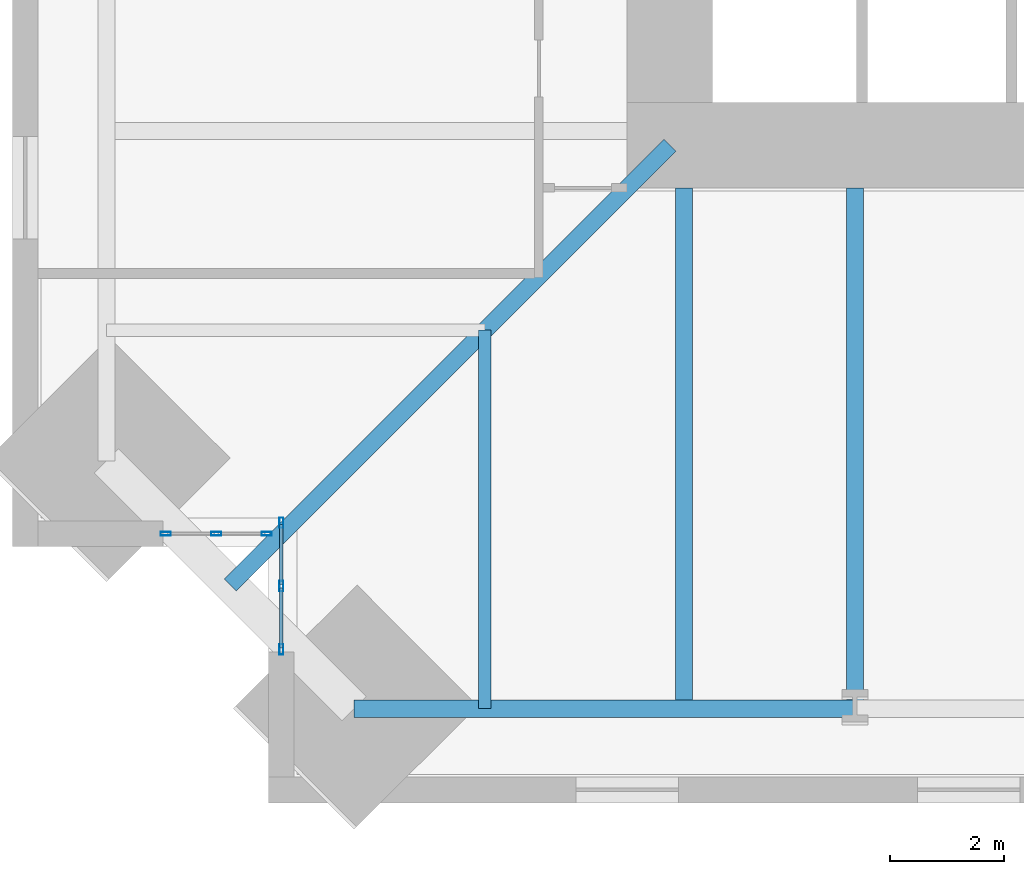
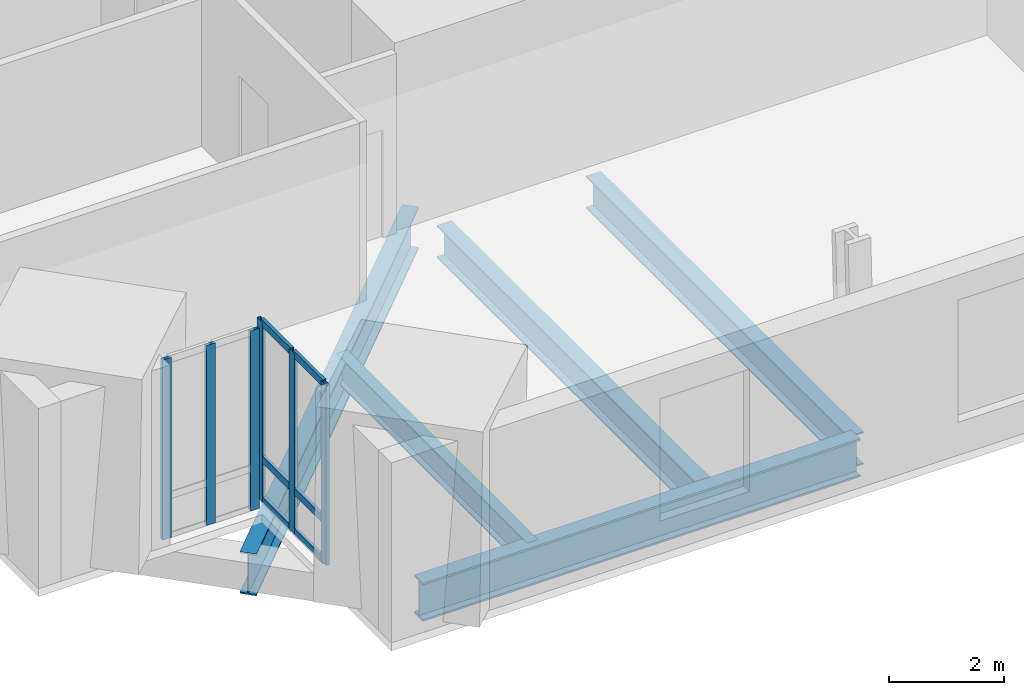
# One storey, part 2 of 15: 12 members, 5 beams, 2 elements without a shape of their own.
"""IFC4 building model written with IfcOpenShell, lengths in metres."""

from ifc_helpers import new_model, si_unit, direction, frame, origin, origin_2d, place, context, subcontext, project, spatial, hollow_rectangle, i_section, extrude, material, material_profile, profile_set, type_object, element, aggregate, save


model = new_model("IFC4")

# Units and contexts
model_context = context("Model", 3, precision=1e-05, world=origin(), true_north=direction((0.0, 1.0)))
body_context = subcontext(model_context, "Body", "Model", "MODEL_VIEW")
ifc_project = project(units=[si_unit("LENGTHUNIT", "METRE"), si_unit("AREAUNIT", "SQUARE_METRE"), si_unit("VOLUMEUNIT", "CUBIC_METRE"), si_unit("PLANEANGLEUNIT", "RADIAN"), si_unit("MASSUNIT", "GRAM", prefix="KILO")], contexts=[model_context])

# Site, building, storey
site_placement = place(None, origin())
site = spatial("IfcSite", under=ifc_project, at=site_placement, CompositionType="ELEMENT")
building_placement = place(site_placement, origin())
building = spatial("IfcBuilding", under=site, at=building_placement, Name="Peilmerk Tower", CompositionType="ELEMENT")
storey_placement = place(building_placement, frame((0.0, 0.0, 241.800048828125)))
storey = spatial("IfcBuildingStorey", under=building, at=storey_placement, Name="L53", CompositionType="ELEMENT", Elevation=241.800048828125)

# Beams
ifc_material_1 = material(Name="Steel S355", Category="steel")
ifc_material_profile_1 = material_profile(ifc_material_1, i_section(OverallWidth=0.219970703125, OverallDepth=0.60009765625, WebThickness=0.011962890625, FlangeThickness=0.01904296875, at=origin_2d()), Name="IPE 600")
ifc_profile_set_1 = profile_set([ifc_material_profile_1], Name="Steel S355")
beam_type_1 = type_object("IfcBeamType", Name="B10 IPE 600 floor beam", PredefinedType="BEAM", material=ifc_profile_set_1)
beam_1_placement = place(storey_placement, frame((-14.5, -14.5, -0.469970703125), z_axis=(0.0, -1.0, 0.0), x_axis=(1.0, 0.0, 0.0)))
element("IfcBeam", 1, at=beam_1_placement, inside=storey, type_object=beam_type_1, Name="Floor beam L53", PredefinedType="BEAM", context=body_context, shape_type="SweptSolid", body=[
    extrude(i_section(OverallWidth=0.219970703125, OverallDepth=0.60009765625, WebThickness=0.011962890625, FlangeThickness=0.01904296875, at=origin_2d()), origin(), (0.0, 0.0, 1.0), 6.646728515625),
])
ifc_material_profile_2 = material_profile(ifc_material_1, i_section(OverallWidth=0.302978515625, OverallDepth=0.81396484375, WebThickness=0.02099609375, FlangeThickness=0.0400390625, at=origin_2d()), Name="HEM 800")
ifc_profile_set_2 = profile_set([ifc_material_profile_2], Name="Steel S355")
beam_type_2 = type_object("IfcBeamType", Name="B15 HEM 800 edge beam", PredefinedType="SPANDREL", material=ifc_profile_set_2)
beam_2_placement = place(storey_placement, frame((-16.796875, -21.146728515625, -0.5771484375), z_axis=(1.0, 0.0, 0.0), x_axis=(0.0, 1.0, 0.0)))
element("IfcBeam", 2, at=beam_2_placement, inside=storey, type_object=beam_type_2, Name="Edge beam L53", PredefinedType="SPANDREL", context=body_context, shape_type="SweptSolid", body=[
    extrude(i_section(OverallWidth=0.302978515625, OverallDepth=0.81396484375, WebThickness=0.02099609375, FlangeThickness=0.0400390625, at=origin_2d()), origin(), (0.0, 0.0, 1.0), 8.796875),
])
ifc_material_profile_3 = material_profile(ifc_material_1, i_section(OverallWidth=0.300048828125, OverallDepth=0.68994140625, WebThickness=0.014404296875, FlangeThickness=0.027099609375, at=origin_2d()), Name="HEA 700")
ifc_profile_set_3 = profile_set([ifc_material_profile_3], Name="Steel S355")
beam_type_3 = type_object("IfcBeamType", Name="B16 HEA 700 floor beam", PredefinedType="BEAM", material=ifc_profile_set_3)
for number, where, z_axis, x_axis, name in (
    (3, (-11.0, -12.0, -0.51513671875), (0.0, -1.0, 0.0), (1.0, 0.0, 0.0), "Floor beam L53"),
    (4, (-8.0, -12.0, -0.51513671875), (0.0, -1.0, 0.0), (1.0, 0.0, 0.0), "Floor beam L53"),
):
    element("IfcBeam", number, at=place(storey_placement, frame(where, z_axis=z_axis, x_axis=x_axis)), inside=storey, type_object=beam_type_3, Name=name, PredefinedType="BEAM", context=body_context, shape_type="SweptSolid", body=[
        extrude(i_section(OverallWidth=0.300048828125, OverallDepth=0.68994140625, WebThickness=0.014404296875, FlangeThickness=0.027099609375, at=origin_2d()), origin(), (0.0, 0.0, 1.0), 9.146728515625),
    ])
ifc_material_profile_4 = material_profile(ifc_material_1, i_section(OverallWidth=0.300048828125, OverallDepth=0.889892578125, WebThickness=0.01611328125, FlangeThickness=0.030029296875, at=origin_2d()), Name="HEA 900")
ifc_profile_set_4 = profile_set([ifc_material_profile_4], Name="Steel S355")
beam_type_4 = type_object("IfcBeamType", Name="B4 HEA 900 floor beam", PredefinedType="BEAM", material=ifc_profile_set_4)
beam_3_placement = place(storey_placement, frame((-11.25, -11.25, -0.614990234375), z_axis=(-0.707106781187, -0.707106781187, 0.0), x_axis=(0.707106781187, -0.707106781187, 0.0)))
element("IfcBeam", 5, at=beam_3_placement, inside=storey, type_object=beam_type_4, Name="Corner girder L53", PredefinedType="BEAM", context=body_context, shape_type="SweptSolid", body=[
    extrude(i_section(OverallWidth=0.300048828125, OverallDepth=0.889892578125, WebThickness=0.01611328125, FlangeThickness=0.030029296875, at=origin_2d()), origin(), (0.0, 0.0, 1.0), 10.920166015625),
])

# Curtain wall, members
ifc_material_2 = material(Name="Aluminium stick curtain wall", Category="aluminium")
curtain_wall_type = type_object("IfcCurtainWallType", Name="CW4 stick curtain wall, 2250 module", PredefinedType="NOTDEFINED", material=ifc_material_2)
curtain_wall_1_placement = place(storey_placement, origin())
curtain_wall_1 = element("IfcCurtainWall", 6, at=curtain_wall_1_placement, inside=storey, type_object=curtain_wall_type, Name="Curtain wall CW4 SWA L53", PredefinedType="NOTDEFINED")
ifc_material_3 = material(Name="Aluminium EN AW-6063 T6", Category="aluminium")
ifc_material_profile_5 = material_profile(ifc_material_3, hollow_rectangle(XDim=0.06494140625, YDim=0.179931640625, WallThickness=0.0029296875, at=origin_2d()), Name="AL 180x65x3")
ifc_profile_set_5 = profile_set([ifc_material_profile_5], Name="Aluminium EN AW-6063 T6")
member_type_1 = type_object("IfcMemberType", Name="CW4-M AL 180x65x3 mullion", PredefinedType="MULLION", material=ifc_profile_set_5)
member_1_placement = place(storey_placement, frame((-18.074951171875, -17.882568359375, 0.0), z_axis=(0.0, 0.0, 1.0), x_axis=(1.0, 0.0, 0.0)))
member_1 = element("IfcMember", 7, at=member_1_placement, type_object=member_type_1, Name="CW4 mullion 1", PredefinedType="MULLION", context=body_context, shape_type="SweptSolid", body=[
    extrude(hollow_rectangle(XDim=0.06494140625, YDim=0.179931640625, WallThickness=0.0029296875, at=origin_2d()), origin(), (0.0, 0.0, 1.0), 3.829833984375),
])
member_2_placement = place(storey_placement, frame((-18.074951171875, -18.994384765625, 0.0), z_axis=(0.0, 0.0, 1.0), x_axis=(1.0, 0.0, 0.0)))
member_2 = element("IfcMember", 8, at=member_2_placement, type_object=member_type_1, Name="CW4 mullion 2", PredefinedType="MULLION", context=body_context, shape_type="SweptSolid", body=[
    extrude(hollow_rectangle(XDim=0.06494140625, YDim=0.179931640625, WallThickness=0.0029296875, at=origin_2d()), origin(), (0.0, 0.0, 1.0), 3.829833984375),
])
member_3_placement = place(storey_placement, frame((-18.074951171875, -20.106201171875, 0.0), z_axis=(0.0, 0.0, 1.0), x_axis=(1.0, 0.0, 0.0)))
member_3 = element("IfcMember", 9, at=member_3_placement, type_object=member_type_1, Name="CW4 mullion 3", PredefinedType="MULLION", context=body_context, shape_type="SweptSolid", body=[
    extrude(hollow_rectangle(XDim=0.06494140625, YDim=0.179931640625, WallThickness=0.0029296875, at=origin_2d()), origin(), (0.0, 0.0, 1.0), 3.829833984375),
])

curtain_wall_2_placement = place(storey_placement, origin())
curtain_wall_2 = element("IfcCurtainWall", 10, at=curtain_wall_2_placement, inside=storey, type_object=curtain_wall_type, Name="Curtain wall CW4 SWB L53", PredefinedType="NOTDEFINED")
member_4_placement = place(storey_placement, frame((-18.33251953125, -18.074951171875, 0.0), z_axis=(0.0, 0.0, 1.0), x_axis=(0.0, -1.0, 0.0)))
member_4 = element("IfcMember", 11, at=member_4_placement, type_object=member_type_1, Name="CW4 mullion 1", PredefinedType="MULLION", context=body_context, shape_type="SweptSolid", body=[
    extrude(hollow_rectangle(XDim=0.06494140625, YDim=0.179931640625, WallThickness=0.0029296875, at=origin_2d()), origin(), (0.0, 0.0, 1.0), 3.829833984375),
])
member_5_placement = place(storey_placement, frame((-19.21923828125, -18.074951171875, 0.0), z_axis=(0.0, 0.0, 1.0), x_axis=(0.0, -1.0, 0.0)))
member_5 = element("IfcMember", 12, at=member_5_placement, type_object=member_type_1, Name="CW4 mullion 2", PredefinedType="MULLION", context=body_context, shape_type="SweptSolid", body=[
    extrude(hollow_rectangle(XDim=0.06494140625, YDim=0.179931640625, WallThickness=0.0029296875, at=origin_2d()), origin(), (0.0, 0.0, 1.0), 3.829833984375),
])
member_6_placement = place(storey_placement, frame((-20.106201171875, -18.074951171875, 0.0), z_axis=(0.0, 0.0, 1.0), x_axis=(0.0, -1.0, 0.0)))
member_6 = element("IfcMember", 13, at=member_6_placement, type_object=member_type_1, Name="CW4 mullion 3", PredefinedType="MULLION", context=body_context, shape_type="SweptSolid", body=[
    extrude(hollow_rectangle(XDim=0.06494140625, YDim=0.179931640625, WallThickness=0.0029296875, at=origin_2d()), origin(), (0.0, 0.0, 1.0), 3.829833984375),
])
aggregate(curtain_wall_2, [member_4, member_5, member_6])

# Member
ifc_material_profile_6 = material_profile(ifc_material_3, hollow_rectangle(XDim=0.06494140625, YDim=0.14990234375, WallThickness=0.0029296875, at=origin_2d()), Name="AL 150x65x3")
ifc_profile_set_6 = profile_set([ifc_material_profile_6], Name="Aluminium EN AW-6063 T6")
member_type_2 = type_object("IfcMemberType", Name="CW4-T AL 150x65x3 transom", PredefinedType="USERDEFINED", material=ifc_profile_set_6)
member_7_placement = place(storey_placement, frame((-18.074951171875, -17.9150390625, 0.032470703125), z_axis=(0.0, -1.0, 0.0), x_axis=(1.0, 0.0, 0.0)))
member_7 = element("IfcMember", 14, at=member_7_placement, type_object=member_type_2, Name="CW4 transom 1.1", ObjectType="TRANSOM", PredefinedType="USERDEFINED", context=body_context, shape_type="SweptSolid", body=[
    extrude(hollow_rectangle(XDim=0.06494140625, YDim=0.14990234375, WallThickness=0.0029296875, at=origin_2d()), origin(), (0.0, 0.0, 1.0), 1.046875),
])

member_8_placement = place(storey_placement, frame((-18.074951171875, -17.9150390625, 0.89990234375), z_axis=(0.0, -1.0, 0.0), x_axis=(1.0, 0.0, 0.0)))
member_8 = element("IfcMember", 15, at=member_8_placement, type_object=member_type_2, Name="CW4 transom 1.2", ObjectType="TRANSOM", PredefinedType="USERDEFINED", context=body_context, shape_type="SweptSolid", body=[
    extrude(hollow_rectangle(XDim=0.06494140625, YDim=0.14990234375, WallThickness=0.0029296875, at=origin_2d()), origin(), (0.0, 0.0, 1.0), 1.046875),
])

member_9_placement = place(storey_placement, frame((-18.074951171875, -17.9150390625, 3.79736328125), z_axis=(0.0, -1.0, 0.0), x_axis=(1.0, 0.0, 0.0)))
member_9 = element("IfcMember", 16, at=member_9_placement, type_object=member_type_2, Name="CW4 transom 1.3", ObjectType="TRANSOM", PredefinedType="USERDEFINED", context=body_context, shape_type="SweptSolid", body=[
    extrude(hollow_rectangle(XDim=0.06494140625, YDim=0.14990234375, WallThickness=0.0029296875, at=origin_2d()), origin(), (0.0, 0.0, 1.0), 1.046875),
])

member_10_placement = place(storey_placement, frame((-18.074951171875, -19.02685546875, 0.032470703125), z_axis=(0.0, -1.0, 0.0), x_axis=(1.0, 0.0, 0.0)))
member_10 = element("IfcMember", 17, at=member_10_placement, type_object=member_type_2, Name="CW4 transom 2.1", ObjectType="TRANSOM", PredefinedType="USERDEFINED", context=body_context, shape_type="SweptSolid", body=[
    extrude(hollow_rectangle(XDim=0.06494140625, YDim=0.14990234375, WallThickness=0.0029296875, at=origin_2d()), origin(), (0.0, 0.0, 1.0), 1.046875),
])

member_11_placement = place(storey_placement, frame((-18.074951171875, -19.02685546875, 0.89990234375), z_axis=(0.0, -1.0, 0.0), x_axis=(1.0, 0.0, 0.0)))
member_11 = element("IfcMember", 18, at=member_11_placement, type_object=member_type_2, Name="CW4 transom 2.2", ObjectType="TRANSOM", PredefinedType="USERDEFINED", context=body_context, shape_type="SweptSolid", body=[
    extrude(hollow_rectangle(XDim=0.06494140625, YDim=0.14990234375, WallThickness=0.0029296875, at=origin_2d()), origin(), (0.0, 0.0, 1.0), 1.046875),
])

member_12_placement = place(storey_placement, frame((-18.074951171875, -19.02685546875, 3.79736328125), z_axis=(0.0, -1.0, 0.0), x_axis=(1.0, 0.0, 0.0)))
member_12 = element("IfcMember", 19, at=member_12_placement, type_object=member_type_2, Name="CW4 transom 2.3", ObjectType="TRANSOM", PredefinedType="USERDEFINED", context=body_context, shape_type="SweptSolid", body=[
    extrude(hollow_rectangle(XDim=0.06494140625, YDim=0.14990234375, WallThickness=0.0029296875, at=origin_2d()), origin(), (0.0, 0.0, 1.0), 1.046875),
])

aggregate(curtain_wall_1, [member_1, member_2, member_3, member_7, member_8, member_9, member_10, member_11, member_12])

save(model, "model.ifc")
